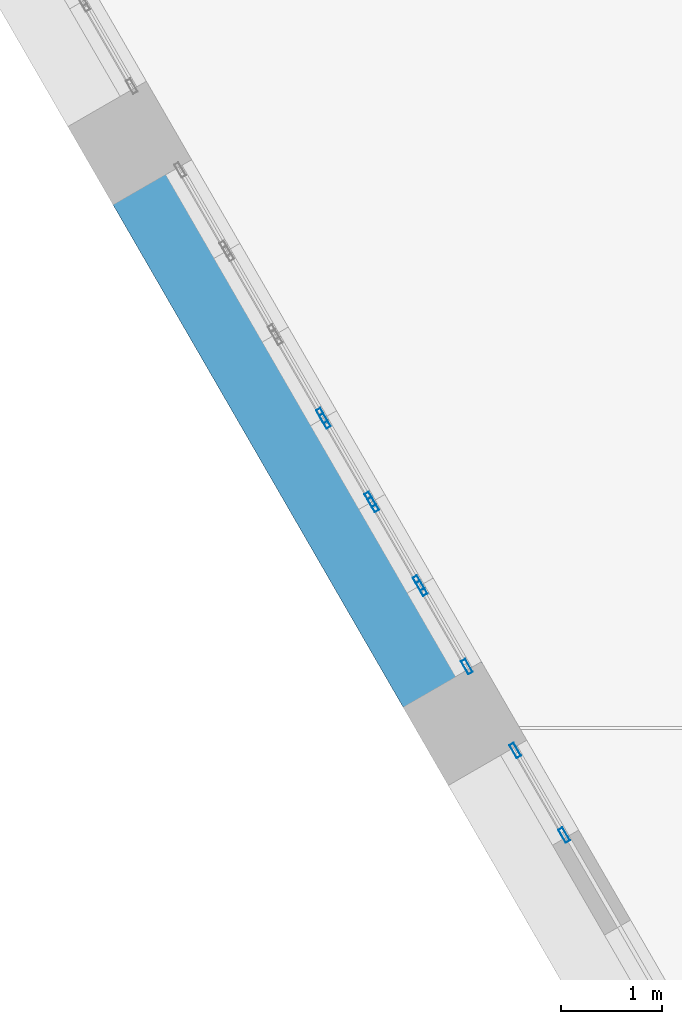
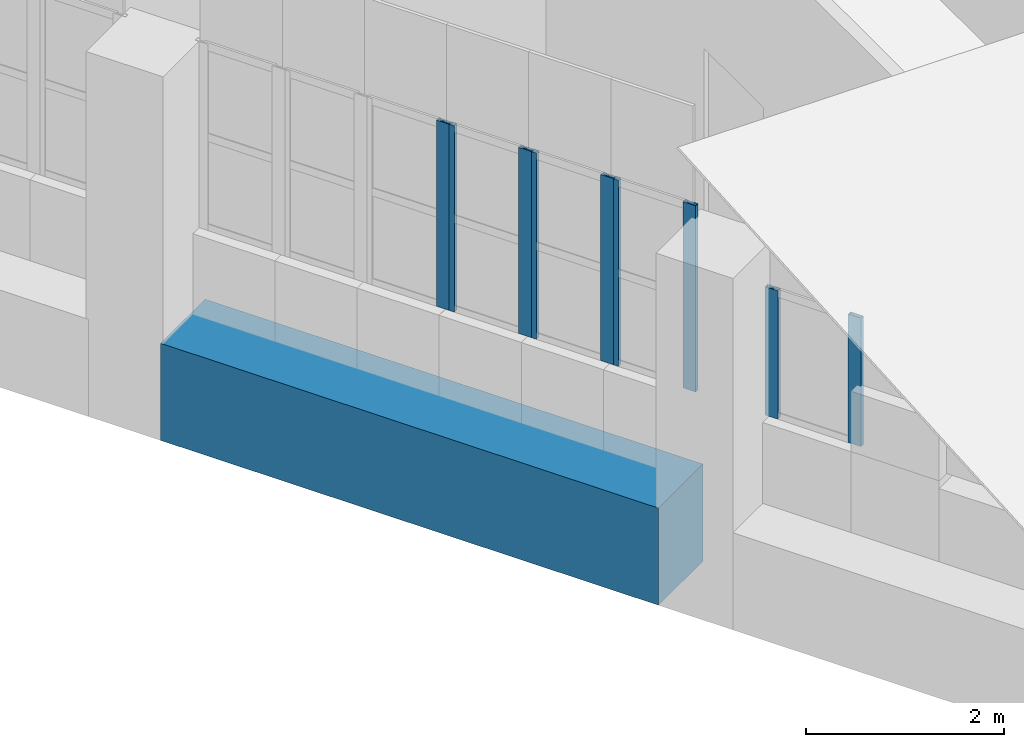
# One storey, part 2 of 25: 9 members, 1 beam, 5 elements without a shape of their own.
"""IFC4 building model written with IfcOpenShell, lengths in metres."""

from ifc_helpers import new_model, si_unit, direction, frame, origin, origin_2d, place, context, subcontext, project, spatial, rectangle, hollow_rectangle, extrude, material, material_profile, profile_set, type_object, element, aggregate, save


model = new_model("IFC4")

# Units and contexts
model_context = context("Model", 3, precision=1e-05, world=origin(), true_north=direction((0.0, 1.0)))
body_context = subcontext(model_context, "Body", "Model", "MODEL_VIEW")
ifc_project = project(units=[si_unit("LENGTHUNIT", "METRE"), si_unit("AREAUNIT", "SQUARE_METRE"), si_unit("VOLUMEUNIT", "CUBIC_METRE"), si_unit("PLANEANGLEUNIT", "RADIAN"), si_unit("MASSUNIT", "GRAM", prefix="KILO")], contexts=[model_context])

# Site, building, storey
site_placement = place(None, origin())
site = spatial("IfcSite", under=ifc_project, at=site_placement, CompositionType="ELEMENT")
building_placement = place(site_placement, origin())
building = spatial("IfcBuilding", under=site, at=building_placement, Name="Ostrander Bayou Hotel Tower", CompositionType="ELEMENT")
storey_placement = place(building_placement, frame((0.0, 0.0, 275.0)))
storey = spatial("IfcBuildingStorey", under=building, at=storey_placement, Name="L68", CompositionType="ELEMENT", Elevation=275.0)

# Curtain wall, member
ifc_material_1 = material(Name="Aluminium and clear glass", Category="aluminium")
curtain_wall_type = type_object("IfcCurtainWallType", Name="CW-CROWN glazed wall", PredefinedType="NOTDEFINED", material=ifc_material_1)
curtain_wall_1_placement = place(storey_placement, origin())
curtain_wall_1 = element("IfcCurtainWall", 1, at=curtain_wall_1_placement, inside=storey, type_object=curtain_wall_type, Name="CW-CROWN L68:SW-2-3", PredefinedType="NOTDEFINED")
ifc_material_2 = material(Name="Aluminium", Category="aluminium")
ifc_material_profile_1 = material_profile(ifc_material_2, hollow_rectangle(XDim=0.050048828125, YDim=0.14990234375, WallThickness=0.00390625, at=origin_2d()))
ifc_profile_set_1 = profile_set([ifc_material_profile_1], Name="Aluminium")
member_type = type_object("IfcMemberType", Name="CW-CR mullion 50 x 150 mm", PredefinedType="MULLION", material=ifc_profile_set_1)
member_1_placement = place(storey_placement, frame((-14.34765625, -8.2490234375, 1.0), z_axis=(0.0, 0.0, 1.0), x_axis=(0.866022491007, 0.500005045044, 0.0)))
member_1 = element("IfcMember", 2, at=member_1_placement, type_object=member_type, Name="CW-CROWN mullion 2", PredefinedType="MULLION", context=body_context, shape_type="SweptSolid", body=[
    extrude(hollow_rectangle(XDim=0.050048828125, YDim=0.14990234375, WallThickness=0.00390625, at=origin_2d()), origin(), (0.0, 0.0, 1.0), 2.300048828125),
])
aggregate(curtain_wall_1, [member_1])

# Curtain wall, members
curtain_wall_2_placement = place(storey_placement, origin())
curtain_wall_2 = element("IfcCurtainWall", 3, at=curtain_wall_2_placement, inside=storey, type_object=curtain_wall_type, Name="CW-CROWN L68:SW-2-4", PredefinedType="NOTDEFINED")
member_2_placement = place(storey_placement, frame((-14.317626953125, -8.301025390625, 1.0), z_axis=(0.0, 0.0, 1.0), x_axis=(0.866022491007, 0.500005045044, 0.0)))
member_2 = element("IfcMember", 4, at=member_2_placement, type_object=member_type, Name="CW-CROWN mullion 1", PredefinedType="MULLION", context=body_context, shape_type="SweptSolid", body=[
    extrude(hollow_rectangle(XDim=0.050048828125, YDim=0.14990234375, WallThickness=0.00390625, at=origin_2d()), origin(), (0.0, 0.0, 1.0), 2.300048828125),
])
member_3_placement = place(storey_placement, frame((-13.867919921875, -9.080322265625, 1.0), z_axis=(0.0, 0.0, 1.0), x_axis=(0.866022491007, 0.500005045044, 0.0)))
member_3 = element("IfcMember", 5, at=member_3_placement, type_object=member_type, Name="CW-CROWN mullion 2", PredefinedType="MULLION", context=body_context, shape_type="SweptSolid", body=[
    extrude(hollow_rectangle(XDim=0.050048828125, YDim=0.14990234375, WallThickness=0.00390625, at=origin_2d()), origin(), (0.0, 0.0, 1.0), 2.300048828125),
])
aggregate(curtain_wall_2, [member_2, member_3])

curtain_wall_3_placement = place(storey_placement, origin())
curtain_wall_3 = element("IfcCurtainWall", 6, at=curtain_wall_3_placement, inside=storey, type_object=curtain_wall_type, Name="CW-CROWN L68:SW-2-5", PredefinedType="NOTDEFINED")
member_4_placement = place(storey_placement, frame((-13.837890625, -9.132080078125, 1.0), z_axis=(0.0, 0.0, 1.0), x_axis=(0.866022491007, 0.500005045044, 0.0)))
member_4 = element("IfcMember", 7, at=member_4_placement, type_object=member_type, Name="CW-CROWN mullion 1", PredefinedType="MULLION", context=body_context, shape_type="SweptSolid", body=[
    extrude(hollow_rectangle(XDim=0.050048828125, YDim=0.14990234375, WallThickness=0.00390625, at=origin_2d()), origin(), (0.0, 0.0, 1.0), 2.300048828125),
])
member_5_placement = place(storey_placement, frame((-13.387939453125, -9.911376953125, 1.0), z_axis=(0.0, 0.0, 1.0), x_axis=(0.866022491007, 0.500005045044, 0.0)))
member_5 = element("IfcMember", 8, at=member_5_placement, type_object=member_type, Name="CW-CROWN mullion 2", PredefinedType="MULLION", context=body_context, shape_type="SweptSolid", body=[
    extrude(hollow_rectangle(XDim=0.050048828125, YDim=0.14990234375, WallThickness=0.00390625, at=origin_2d()), origin(), (0.0, 0.0, 1.0), 2.300048828125),
])
aggregate(curtain_wall_3, [member_4, member_5])

curtain_wall_4_placement = place(storey_placement, origin())
curtain_wall_4 = element("IfcCurtainWall", 9, at=curtain_wall_4_placement, inside=storey, type_object=curtain_wall_type, Name="CW-CROWN L68:SW-2-6", PredefinedType="NOTDEFINED")
member_6_placement = place(storey_placement, frame((-13.35791015625, -9.96337890625, 1.0), z_axis=(0.0, 0.0, 1.0), x_axis=(0.866022491007, 0.500005045044, 0.0)))
member_6 = element("IfcMember", 10, at=member_6_placement, type_object=member_type, Name="CW-CROWN mullion 1", PredefinedType="MULLION", context=body_context, shape_type="SweptSolid", body=[
    extrude(hollow_rectangle(XDim=0.050048828125, YDim=0.14990234375, WallThickness=0.00390625, at=origin_2d()), origin(), (0.0, 0.0, 1.0), 2.300048828125),
])
member_7_placement = place(storey_placement, frame((-12.907958984375, -10.74267578125, 1.0), z_axis=(0.0, 0.0, 1.0), x_axis=(0.866022491007, 0.500005045044, 0.0)))
member_7 = element("IfcMember", 11, at=member_7_placement, type_object=member_type, Name="CW-CROWN mullion 2", PredefinedType="MULLION", context=body_context, shape_type="SweptSolid", body=[
    extrude(hollow_rectangle(XDim=0.050048828125, YDim=0.14990234375, WallThickness=0.00390625, at=origin_2d()), origin(), (0.0, 0.0, 1.0), 2.300048828125),
])
aggregate(curtain_wall_4, [member_6, member_7])

curtain_wall_5_placement = place(storey_placement, origin())
curtain_wall_5 = element("IfcCurtainWall", 12, at=curtain_wall_5_placement, inside=storey, type_object=curtain_wall_type, Name="CW-CROWN L68:SW-3-1", PredefinedType="NOTDEFINED")
member_8_placement = place(storey_placement, frame((-12.427978515625, -11.573974609375, 1.0), z_axis=(0.0, 0.0, 1.0), x_axis=(0.866027389386, 0.499996560821, 0.0)))
member_8 = element("IfcMember", 13, at=member_8_placement, type_object=member_type, Name="CW-CROWN mullion 1", PredefinedType="MULLION", context=body_context, shape_type="SweptSolid", body=[
    extrude(hollow_rectangle(XDim=0.050048828125, YDim=0.14990234375, WallThickness=0.00390625, at=origin_2d()), origin(), (0.0, 0.0, 1.0), 1.5869140625),
])
member_9_placement = place(storey_placement, frame((-11.942138671875, -12.41552734375, 1.0), z_axis=(0.0, 0.0, 1.0), x_axis=(0.866027389386, 0.499996560821, 0.0)))
member_9 = element("IfcMember", 14, at=member_9_placement, type_object=member_type, Name="CW-CROWN mullion 2", PredefinedType="MULLION", context=body_context, shape_type="SweptSolid", body=[
    extrude(hollow_rectangle(XDim=0.050048828125, YDim=0.14990234375, WallThickness=0.00390625, at=origin_2d()), origin(), (0.0, 0.0, 1.0), 1.5869140625),
])
aggregate(curtain_wall_5, [member_8, member_9])

# Beam
ifc_material_3 = material(Name="Concrete f'c 60 MPa", Category="concrete")
ifc_material_profile_2 = material_profile(ifc_material_3, rectangle(XDim=0.89990234375, YDim=1.199951171875, at=origin_2d()))
ifc_profile_set_2 = profile_set([ifc_material_profile_2], Name="Concrete f'c 60 MPa")
beam_type = type_object("IfcBeamType", Name="SP4 spandrel beam 900 x 1200 mm f'c 60 MPa", PredefinedType="SPANDREL", material=ifc_profile_set_2)
beam_placement = place(storey_placement, frame((-16.047119140625, -5.905517578125, -0.60009765625), z_axis=(0.500015433515, -0.866016493057, 0.0), x_axis=(0.866016493057, 0.500015433515, 0.0)))
element("IfcBeam", 15, at=beam_placement, inside=storey, type_object=beam_type, Name="SP4 L68 SW-2", PredefinedType="SPANDREL", context=body_context, shape_type="SweptSolid", body=[
    extrude(rectangle(XDim=0.89990234375, YDim=1.199951171875, at=origin_2d()), origin(), (0.0, 0.0, 1.0), 5.818603515625),
])

save(model, "model.ifc")
